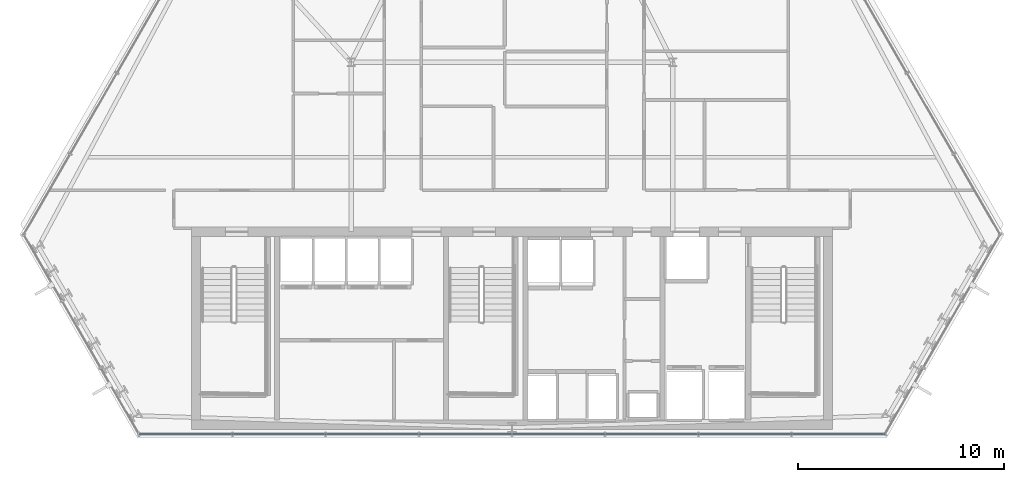
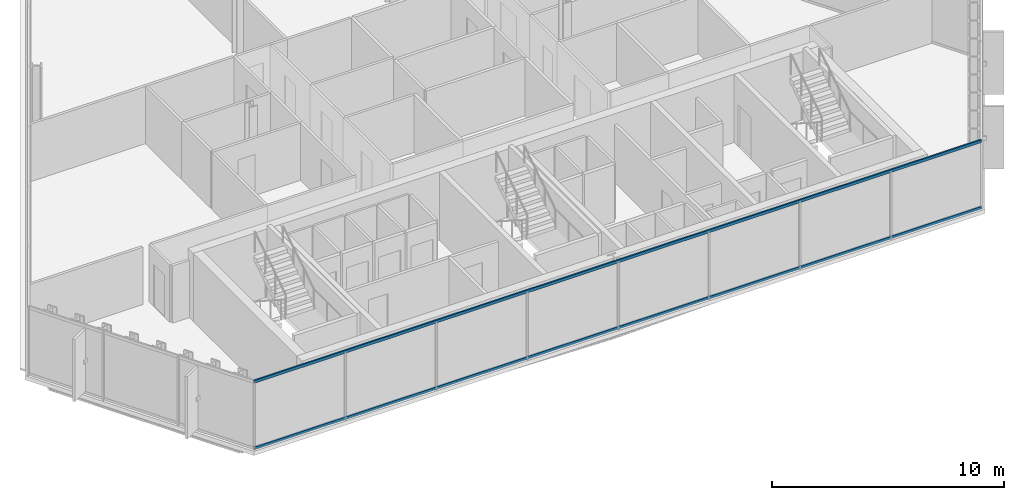
# One storey, part 8 of 33: 2 members, 1 element without a shape of its own.
"""IFC4 building model written with IfcOpenShell, lengths in metres."""

from ifc_helpers import new_model, si_unit, direction, frame, origin, origin_2d, place, context, subcontext, project, spatial, hollow_rectangle, extrude, material, layer, layer_set, material_profile, profile_set, type_object, element, aggregate, save


model = new_model("IFC4")

# Units and contexts
model_context = context("Model", 3, precision=1e-05, world=origin(), true_north=direction((0.0, 1.0)))
body_context = subcontext(model_context, "Body", "Model", "MODEL_VIEW")
ifc_project = project(units=[si_unit("LENGTHUNIT", "METRE"), si_unit("AREAUNIT", "SQUARE_METRE"), si_unit("VOLUMEUNIT", "CUBIC_METRE"), si_unit("PLANEANGLEUNIT", "RADIAN"), si_unit("MASSUNIT", "GRAM", prefix="KILO")], contexts=[model_context])

# Site, building, storey
site_placement = place(None, origin())
site = spatial("IfcSite", under=ifc_project, at=site_placement, CompositionType="ELEMENT")
building_placement = place(site_placement, origin())
building = spatial("IfcBuilding", under=site, at=building_placement, Name="Ndaravel Arena Tower", CompositionType="ELEMENT")
storey_placement = place(building_placement, frame((0.0, 0.0, 149.800048828125)))
storey = spatial("IfcBuildingStorey", under=building, at=storey_placement, Name="L35", CompositionType="ELEMENT", Elevation=149.800048828125)

# Curtain wall, members
ifc_material_1 = material(Name="Aluminium", Category="aluminium")
ifc_layer = layer(ifc_material_1, 0.179931640625)
ifc_layer_set = layer_set([ifc_layer], Name="Aluminium")
curtain_wall_type = type_object("IfcCurtainWallType", Name="CW-SYS-03", PredefinedType="NOTDEFINED", material=ifc_layer_set)
curtain_wall_placement = place(storey_placement, origin())
curtain_wall = element("IfcCurtainWall", 1, at=curtain_wall_placement, inside=storey, type_object=curtain_wall_type, Name="L35 Faceted Crystal Curtain Wall CW-L35-E01", PredefinedType="NOTDEFINED")
ifc_material_2 = material(Name="Aluminium", Category="aluminium")
ifc_material_profile = material_profile(ifc_material_2, hollow_rectangle(XDim=0.074951171875, YDim=0.14990234375, WallThickness=0.00390625, at=origin_2d()), Name="CW TRANSOM 75x150x4")
ifc_profile_set = profile_set([ifc_material_profile], Name="Aluminium")
member_type = type_object("IfcMemberType", Name="MEM-CW-TRN150", PredefinedType="USERDEFINED", material=ifc_profile_set)
member_1_placement = place(storey_placement, frame((23.92431640625, 5.159912109375, 0.0400390625), z_axis=(1.0, 0.0, 0.0), x_axis=(0.0, 1.0, 0.0)))
member_1 = element("IfcMember", 2, at=member_1_placement, type_object=member_type, Name="CW-L35-E01 Transom 01", ObjectType="TRANSOM", PredefinedType="USERDEFINED", context=body_context, shape_type="SweptSolid", body=[
    extrude(hollow_rectangle(XDim=0.074951171875, YDim=0.14990234375, WallThickness=0.00390625, at=origin_2d()), origin(), (0.0, 0.0, 1.0), 36.1513671875),
])
member_2_placement = place(storey_placement, frame((23.92431640625, 5.159912109375, 3.5400390625), z_axis=(1.0, 0.0, 0.0), x_axis=(0.0, 1.0, 0.0)))
member_2 = element("IfcMember", 3, at=member_2_placement, type_object=member_type, Name="CW-L35-E01 Transom 02", ObjectType="TRANSOM", PredefinedType="USERDEFINED", context=body_context, shape_type="SweptSolid", body=[
    extrude(hollow_rectangle(XDim=0.074951171875, YDim=0.14990234375, WallThickness=0.00390625, at=origin_2d()), origin(), (0.0, 0.0, 1.0), 36.1513671875),
])
aggregate(curtain_wall, [member_1, member_2])

save(model, "model.ifc")
